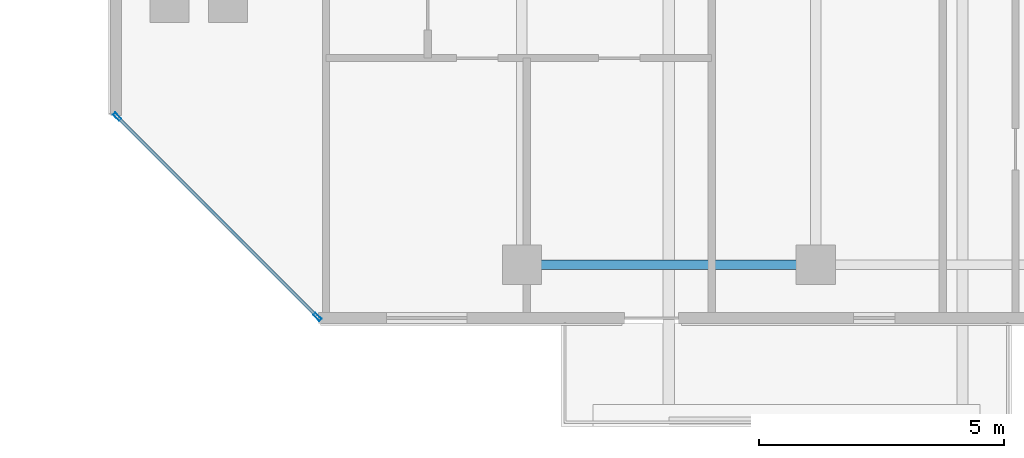
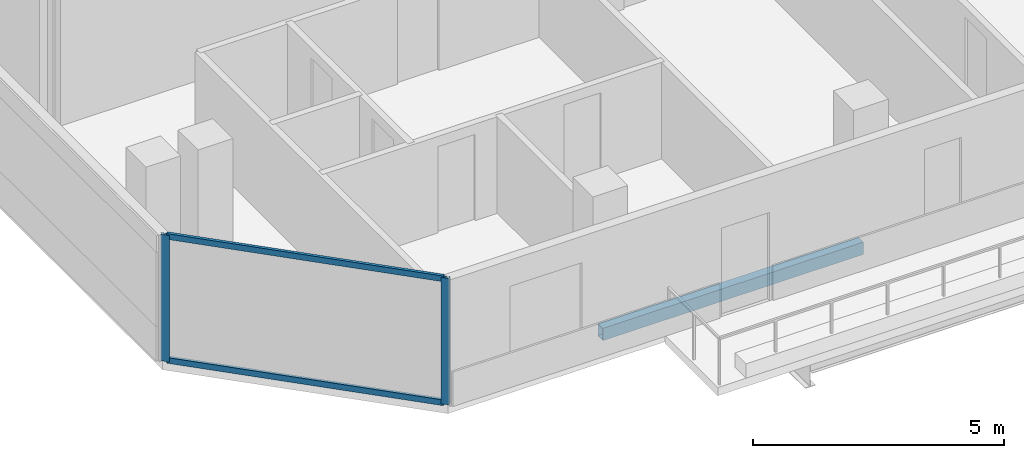
# One storey, part 2 of 29: 4 members, 1 beam, 1 element without a shape of its own.
"""IFC4 building model written with IfcOpenShell, lengths in metres."""

from ifc_helpers import new_model, si_unit, direction, frame, origin, origin_2d, place, context, subcontext, project, spatial, hollow_rectangle, extrude, material, layer, layer_set, material_profile, profile_set, type_object, element, aggregate, save


model = new_model("IFC4")

# Units and contexts
model_context = context("Model", 3, precision=1e-05, world=origin(), true_north=direction((0.0, 1.0)))
body_context = subcontext(model_context, "Body", "Model", "MODEL_VIEW")
ifc_project = project(units=[si_unit("LENGTHUNIT", "METRE"), si_unit("AREAUNIT", "SQUARE_METRE"), si_unit("VOLUMEUNIT", "CUBIC_METRE"), si_unit("PLANEANGLEUNIT", "RADIAN"), si_unit("MASSUNIT", "GRAM", prefix="KILO")], contexts=[model_context])

# Site, building, storey
site_placement = place(None, origin())
site = spatial("IfcSite", under=ifc_project, at=site_placement, CompositionType="ELEMENT")
building_placement = place(site_placement, origin())
building = spatial("IfcBuilding", under=site, at=building_placement, Name="Tanjung Sevakor Pilgrim Tower", CompositionType="ELEMENT")
storey_placement = place(building_placement, frame((0.0, 0.0, 188.429931640625)))
storey = spatial("IfcBuildingStorey", under=building, at=storey_placement, Name="L52", CompositionType="ELEMENT", Elevation=188.429931640625)

# Beam
ifc_material_1 = material(Name="Steel S355J2", Category="steel")
ifc_material_profile_1 = material_profile(ifc_material_1, hollow_rectangle(XDim=0.199951171875, YDim=0.300048828125, WallThickness=0.012451171875, at=origin_2d()))
ifc_profile_set_1 = profile_set([ifc_material_profile_1], Name="Steel S355J2")
beam_type = type_object("IfcBeamType", Name="BM-B-SP3-RHS_300x200x12.5", PredefinedType="SPANDREL", material=ifc_profile_set_1)
beam_placement = place(storey_placement, frame((30.0, 13.25, -0.369873046875), z_axis=(1.0, 0.0, 0.0), x_axis=(0.0, 1.0, 0.0)))
element("IfcBeam", 1, at=beam_placement, inside=storey, type_object=beam_type, Name="L52 Spandrel MAIN S-01", PredefinedType="SPANDREL", context=body_context, shape_type="SweptSolid", body=[
    extrude(hollow_rectangle(XDim=0.199951171875, YDim=0.300048828125, WallThickness=0.012451171875, at=origin_2d()), origin(), (0.0, 0.0, 1.0), 6.0),
])

# Curtain wall, members
ifc_material_2 = material(Name="Aluminium 6063-T6 and Low-E Glass", Category="aluminium")
ifc_layer = layer(ifc_material_2, 0.179931640625)
ifc_layer_set = layer_set([ifc_layer], Name="CW-SYS-CHAM")
curtain_wall_type = type_object("IfcCurtainWallType", Name="CW-SYS-CHAM", PredefinedType="NOTDEFINED", material=ifc_layer_set)
curtain_wall_placement = place(storey_placement, origin())
curtain_wall = element("IfcCurtainWall", 2, at=curtain_wall_placement, inside=storey, type_object=curtain_wall_type, Name="L52 Curtain Wall CW-CHM-L52-MAIN-15", PredefinedType="NOTDEFINED")
ifc_material_3 = material(Name="Aluminium 6063-T6", Category="aluminium")
ifc_material_profile_2 = material_profile(ifc_material_3, hollow_rectangle(XDim=0.06494140625, YDim=0.179931640625, WallThickness=0.00390625, at=origin_2d()))
ifc_profile_set_2 = profile_set([ifc_material_profile_2], Name="Aluminium 6063-T6")
member_type_1 = type_object("IfcMemberType", Name="TYPE-CWM-1", PredefinedType="MULLION", material=ifc_profile_set_2)
member_1_placement = place(storey_placement, frame((21.73291015625, 16.272705078125, 0.0), z_axis=(0.0, 0.0, 1.0), x_axis=(0.707106781187, 0.707106781187, 0.0)))
member_1 = element("IfcMember", 3, at=member_1_placement, type_object=member_type_1, Name="CW-CHM mullion 1", PredefinedType="MULLION", context=body_context, shape_type="SweptSolid", body=[
    extrude(hollow_rectangle(XDim=0.06494140625, YDim=0.179931640625, WallThickness=0.00390625, at=origin_2d()), origin(), (0.0, 0.0, 1.0), 3.080078125),
])
member_2_placement = place(storey_placement, frame((25.822509765625, 12.182861328125, 0.0), z_axis=(0.0, 0.0, 1.0), x_axis=(0.707106781187, 0.707106781187, 0.0)))
member_2 = element("IfcMember", 4, at=member_2_placement, type_object=member_type_1, Name="CW-CHM mullion 2", PredefinedType="MULLION", context=body_context, shape_type="SweptSolid", body=[
    extrude(hollow_rectangle(XDim=0.06494140625, YDim=0.179931640625, WallThickness=0.00390625, at=origin_2d()), origin(), (0.0, 0.0, 1.0), 3.080078125),
])
ifc_material_4 = material(Name="Aluminium 6063-T6", Category="aluminium")
ifc_material_profile_3 = material_profile(ifc_material_4, hollow_rectangle(XDim=0.06494140625, YDim=0.139892578125, WallThickness=0.00390625, at=origin_2d()))
ifc_profile_set_3 = profile_set([ifc_material_profile_3], Name="Aluminium 6063-T6")
member_type_2 = type_object("IfcMemberType", Name="TYPE-CWT-1", PredefinedType="USERDEFINED", material=ifc_profile_set_3)
member_3_placement = place(storey_placement, frame((21.755859375, 16.249755859375, 0.032470703125), z_axis=(0.707106781187, -0.707106781187, 0.0), x_axis=(0.707106781187, 0.707106781187, 0.0)))
member_3 = element("IfcMember", 5, at=member_3_placement, type_object=member_type_2, Name="CW-CHM transom 1.1", ObjectType="TRANSOM", PredefinedType="USERDEFINED", context=body_context, shape_type="SweptSolid", body=[
    extrude(hollow_rectangle(XDim=0.06494140625, YDim=0.139892578125, WallThickness=0.00390625, at=origin_2d()), origin(), (0.0, 0.0, 1.0), 5.71875),
])
member_4_placement = place(storey_placement, frame((21.755859375, 16.249755859375, 3.047607421875), z_axis=(0.707106781187, -0.707106781187, 0.0), x_axis=(0.707106781187, 0.707106781187, 0.0)))
member_4 = element("IfcMember", 6, at=member_4_placement, type_object=member_type_2, Name="CW-CHM transom 1.2", ObjectType="TRANSOM", PredefinedType="USERDEFINED", context=body_context, shape_type="SweptSolid", body=[
    extrude(hollow_rectangle(XDim=0.06494140625, YDim=0.139892578125, WallThickness=0.00390625, at=origin_2d()), origin(), (0.0, 0.0, 1.0), 5.71875),
])
aggregate(curtain_wall, [member_1, member_2, member_3, member_4])

save(model, "model.ifc")
